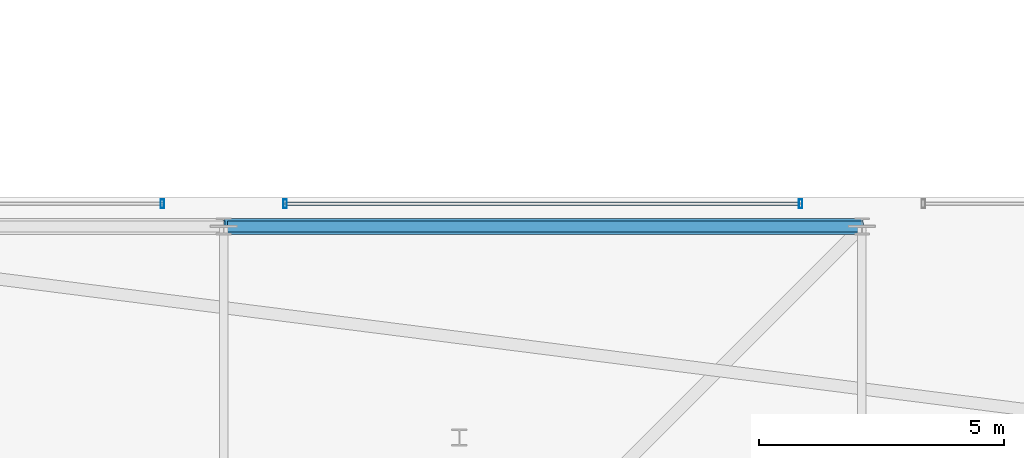
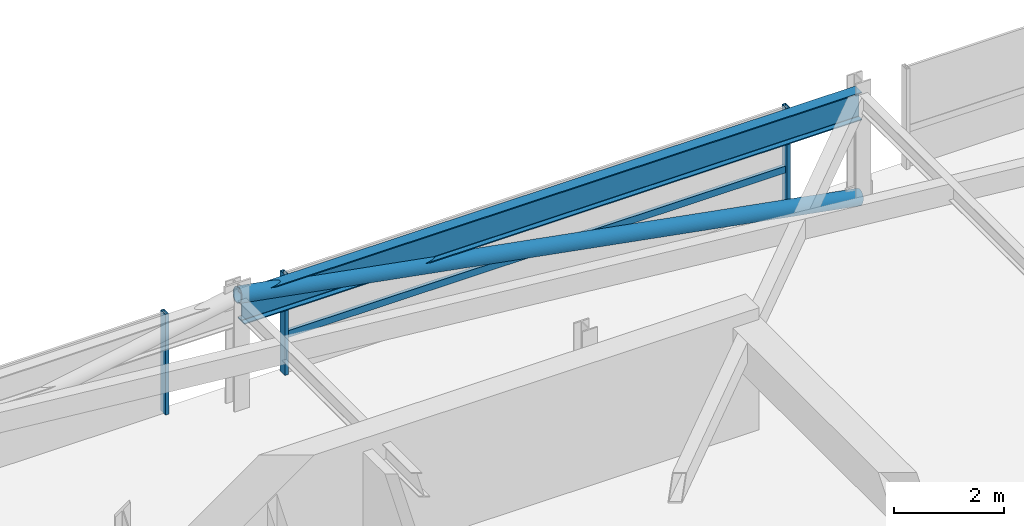
# One storey, part 24 of 42: 5 members, 1 beam, 2 elements without a shape of their own.
"""IFC4 building model written with IfcOpenShell, lengths in metres."""

from ifc_helpers import new_model, si_unit, direction, frame, origin, origin_2d, place, context, subcontext, project, spatial, hollow_rectangle, hollow_circle, i_section, extrude, material, material_profile, profile_set, type_object, element, aggregate, save


model = new_model("IFC4")

# Units and contexts
model_context = context("Model", 3, precision=1e-05, world=origin(), true_north=direction((0.0, 1.0)))
body_context = subcontext(model_context, "Body", "Model", "MODEL_VIEW")
ifc_project = project(units=[si_unit("LENGTHUNIT", "METRE"), si_unit("AREAUNIT", "SQUARE_METRE"), si_unit("VOLUMEUNIT", "CUBIC_METRE"), si_unit("PLANEANGLEUNIT", "RADIAN"), si_unit("MASSUNIT", "GRAM", prefix="KILO")], contexts=[model_context])

# Site, building, storey
site_placement = place(None, origin())
site = spatial("IfcSite", under=ifc_project, at=site_placement, CompositionType="ELEMENT")
building_placement = place(site_placement, origin())
building = spatial("IfcBuilding", under=site, at=building_placement, Name="Thornwick Lancets Civic Towers", CompositionType="ELEMENT")
storey_placement = place(building_placement, frame((0.0, 0.0, 284.10009765625)))
storey = spatial("IfcBuildingStorey", under=building, at=storey_placement, Name="C02", CompositionType="ELEMENT", Elevation=284.10009765625)

# Beam
ifc_material_1 = material(Name="Steel S355JR", Category="steel")
ifc_material_profile_1 = material_profile(ifc_material_1, i_section(OverallWidth=0.230224609375, OverallDepth=0.6171875, WebThickness=0.01318359375, FlangeThickness=0.022216796875, FilletRadius=0.0126953125, at=origin_2d()), Name="UKB 610x229x140")
ifc_profile_set_1 = profile_set([ifc_material_profile_1], Name="Steel S355JR")
beam_type = type_object("IfcBeamType", Name="BM_GIRD_610_140", PredefinedType="BEAM", material=ifc_profile_set_1)
beam_placement = place(storey_placement, frame((25.580078125, 44.300048828125, 2.13134765625), z_axis=(1.0, 0.0, 0.0), x_axis=(0.0, 1.0, 0.0)))
element("IfcBeam", 1, at=beam_placement, inside=storey, type_object=beam_type, Name="BM-SPINE-C02-A-7-8", PredefinedType="BEAM", context=body_context, shape_type="SweptSolid", body=[
    extrude(i_section(OverallWidth=0.230224609375, OverallDepth=0.6171875, WebThickness=0.01318359375, FlangeThickness=0.022216796875, FilletRadius=0.0126953125, at=origin_2d()), origin(), (0.0, 0.0, 1.0), 12.919921875),
])

# Curtain wall, members
ifc_material_2 = material(Name="Crown ring acoustic-louvre and glazing screen wall", Category="glass")
curtain_wall_type = type_object("IfcCurtainWallType", Name="CW_SYS_07", PredefinedType="NOTDEFINED", material=ifc_material_2)
curtain_wall_1_placement = place(storey_placement, origin())
curtain_wall_1 = element("IfcCurtainWall", 2, at=curtain_wall_1_placement, inside=storey, type_object=curtain_wall_type, Name="C02 Curtain Wall CW-C02-A-E4-S2", PredefinedType="NOTDEFINED")
ifc_material_3 = material(Name="Thermally broken bronze aluminium S355", Category="steel")
ifc_material_profile_2 = material_profile(ifc_material_3, hollow_rectangle(XDim=0.074951171875, YDim=0.179931640625, WallThickness=0.006103515625, at=origin_2d()), Name="RHS 180x75x6")
ifc_profile_set_2 = profile_set([ifc_material_profile_2], Name="Thermally broken bronze aluminium S355")
member_type_1 = type_object("IfcMemberType", Name="CW_MUL_180", PredefinedType="MULLION", material=ifc_profile_set_2)
member_1_placement = place(storey_placement, frame((37.25, 44.7646484375, 0.0), z_axis=(0.0, 0.0, 1.0), x_axis=(1.0, 0.0, 0.0)))
member_1 = element("IfcMember", 3, at=member_1_placement, type_object=member_type_1, Name="CW-C02-A-E4-S2 Mullion 0", PredefinedType="MULLION", context=body_context, shape_type="SweptSolid", body=[
    extrude(hollow_rectangle(XDim=0.074951171875, YDim=0.179931640625, WallThickness=0.006103515625, at=origin_2d()), origin(), (0.0, 0.0, 1.0), 2.219970703125),
])
member_2_placement = place(storey_placement, frame((26.75, 44.7646484375, 0.0), z_axis=(0.0, 0.0, 1.0), x_axis=(1.0, 0.0, 0.0)))
member_2 = element("IfcMember", 4, at=member_2_placement, type_object=member_type_1, Name="CW-C02-A-E4-S2 Mullion 1", PredefinedType="MULLION", context=body_context, shape_type="SweptSolid", body=[
    extrude(hollow_rectangle(XDim=0.074951171875, YDim=0.179931640625, WallThickness=0.006103515625, at=origin_2d()), origin(), (0.0, 0.0, 1.0), 2.219970703125),
])

# Curtain wall, member
curtain_wall_2_placement = place(storey_placement, origin())
curtain_wall_2 = element("IfcCurtainWall", 5, at=curtain_wall_2_placement, inside=storey, type_object=curtain_wall_type, Name="C02 Curtain Wall CW-C02-A-E4-S3", PredefinedType="NOTDEFINED")
member_3_placement = place(storey_placement, frame((24.25, 44.7646484375, 0.0), z_axis=(0.0, 0.0, 1.0), x_axis=(1.0, 0.0, 0.0)))
member_3 = element("IfcMember", 6, at=member_3_placement, type_object=member_type_1, Name="CW-C02-A-E4-S3 Mullion 0", PredefinedType="MULLION", context=body_context, shape_type="SweptSolid", body=[
    extrude(hollow_rectangle(XDim=0.074951171875, YDim=0.179931640625, WallThickness=0.006103515625, at=origin_2d()), origin(), (0.0, 0.0, 1.0), 2.219970703125),
])
aggregate(curtain_wall_2, [member_3])

# Member
ifc_material_profile_3 = material_profile(ifc_material_3, hollow_rectangle(XDim=0.074951171875, YDim=0.14990234375, WallThickness=0.0048828125, at=origin_2d()), Name="RHS 150x75x5")
ifc_profile_set_3 = profile_set([ifc_material_profile_3], Name="Thermally broken bronze aluminium S355")
member_type_2 = type_object("IfcMemberType", Name="CW_TRN_150", PredefinedType="USERDEFINED", material=ifc_profile_set_3)
member_4_placement = place(storey_placement, frame((37.22998046875, 44.7646484375, 0.849853515625), z_axis=(-1.0, 0.0, 0.0), x_axis=(0.0, -1.0, 0.0)))
member_4 = element("IfcMember", 7, at=member_4_placement, type_object=member_type_2, Name="CW-C02-A-E4-S2 Transom 0", ObjectType="TRANSOM", PredefinedType="USERDEFINED", context=body_context, shape_type="SweptSolid", body=[
    extrude(hollow_rectangle(XDim=0.074951171875, YDim=0.14990234375, WallThickness=0.0048828125, at=origin_2d()), origin(), (0.0, 0.0, 1.0), 10.4599609375),
])

aggregate(curtain_wall_1, [member_1, member_2, member_4])

ifc_material_profile_4 = material_profile(ifc_material_1, hollow_circle(Radius=0.161865234375, WallThickness=0.01611328125, at=origin_2d()), Name="CHS 323.9x16")
ifc_profile_set_4 = profile_set([ifc_material_profile_4], Name="Steel S355JR")
member_type_3 = type_object("IfcMemberType", Name="MEM_CROWN_CHS324", PredefinedType="BRACE", material=ifc_profile_set_4)
member_5_placement = place(storey_placement, frame((38.5, 44.300048828125, 0.0498046875), z_axis=(-0.983515136313, 0.0, 0.180825818519), x_axis=(0.0, -1.0, 0.0)))
element("IfcMember", 8, at=member_5_placement, inside=storey, type_object=member_type_3, Name="C02 Crown Ring Lancet Rib A-S2-R", PredefinedType="BRACE", context=body_context, shape_type="SweptSolid", body=[
    extrude(hollow_circle(Radius=0.161865234375, WallThickness=0.01611328125, at=origin_2d()), origin(), (0.0, 0.0, 1.0), 13.2177734375),
])

save(model, "model.ifc")
